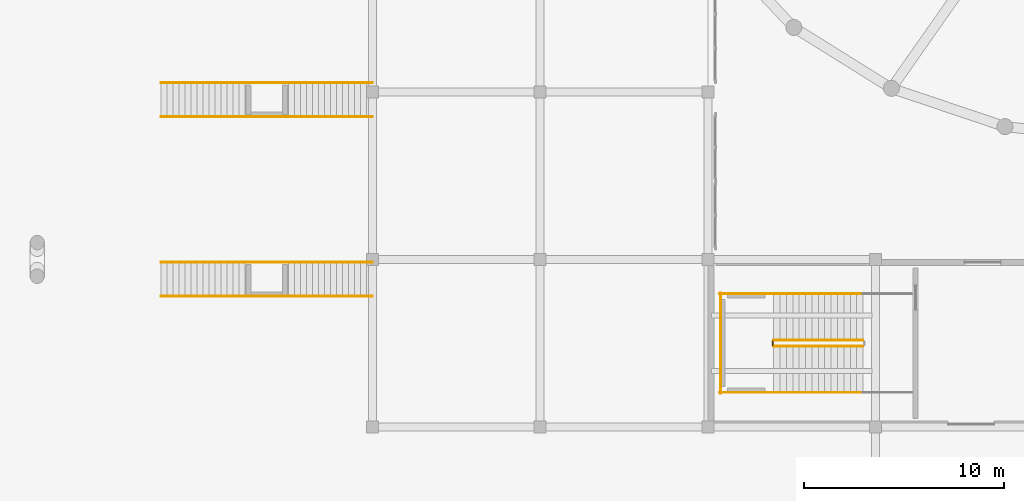
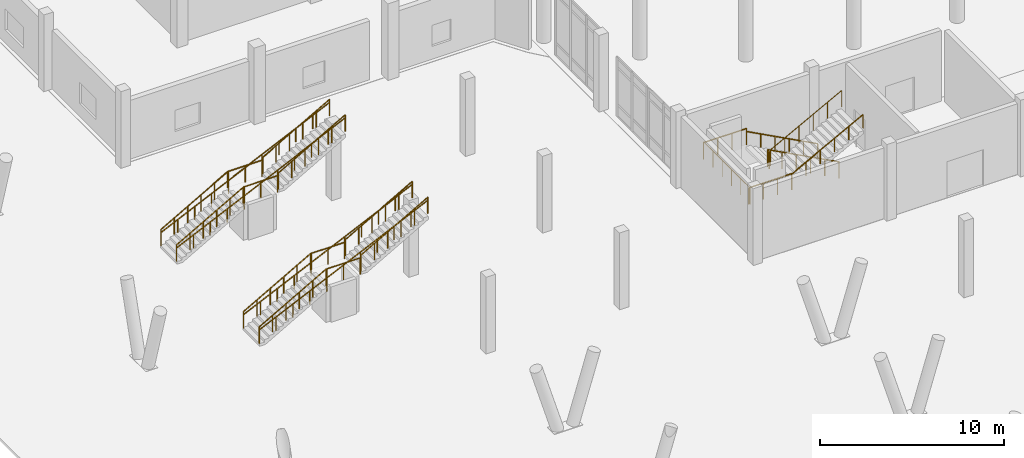
# One storey, part 55 of 64: 24 railings.
"""IFC4 building model written with IfcOpenShell, lengths in metres."""

from ifc_helpers import new_model, si_unit, derived_unit, direction, frame, origin, origin_2d, place, context, subcontext, project, spatial, circle, extrude, material, type_object, element, save


model = new_model("IFC4")

# Units and contexts
model_context = context("Model", 3, precision=1e-05, world=origin(), true_north=direction((0.0, 1.0)))
body_context = subcontext(model_context, "Body", "Model", "MODEL_VIEW")
ifc_project = project(units=[si_unit("LENGTHUNIT", "METRE"), si_unit("AREAUNIT", "SQUARE_METRE"), si_unit("VOLUMEUNIT", "CUBIC_METRE"), si_unit("PLANEANGLEUNIT", "RADIAN"), si_unit("MASSUNIT", "GRAM", prefix="KILO"), derived_unit("THERMALTRANSMITTANCEUNIT", [(si_unit("POWERUNIT", "WATT"), 1), (si_unit("LENGTHUNIT", "METRE"), -2), (si_unit("THERMODYNAMICTEMPERATUREUNIT", "KELVIN"), -1)])], contexts=[model_context])

# Site, building, storey
site_placement = place(None, origin())
site = spatial("IfcSite", under=ifc_project, at=site_placement, CompositionType="ELEMENT")
building_placement = place(site_placement, origin())
building = spatial("IfcBuilding", under=site, at=building_placement, Name="Elbkamm Science Centre", CompositionType="ELEMENT")
storey_placement = place(building_placement, origin())
storey = spatial("IfcBuildingStorey", under=building, at=storey_placement, Name="L00", CompositionType="ELEMENT", Elevation=0.0)

# Railings
ifc_material = material(Name="Stainless steel EN 1.4401", Category="steel")
railing_type_1 = type_object("IfcRailingType", Name="RAIL-GUARD-1100", PredefinedType="GUARDRAIL", material=ifc_material)
railing_1_placement = place(storey_placement, frame((49.780029296875, 37.949951171875, 0.169921875)))
element("IfcRailing", 1, at=railing_1_placement, inside=storey, type_object=railing_type_1, Name="L00 ST-C5 stair guard 1", PredefinedType="GUARDRAIL", context=body_context, shape_type="SweptSolid", body=[
    extrude(circle(Radius=0.02392578125, at=origin_2d()), frame((0.0, 0.0, 1.078125), z_axis=(-0.883104503341, 0.0, 0.469176338042), x_axis=(0.0, -1.0, 0.0)), (0.0, 0.0, 1.0), 5.072998046875),
    extrude(circle(Radius=0.02001953125, at=origin_2d()), origin(), (0.0, 0.0, 1.0), 1.048095703125),
    extrude(circle(Radius=0.02001953125, at=origin_2d()), frame((-0.89599609375, 0.0, 0.47607421875)), (0.0, 0.0, 1.0), 1.048095703125),
    extrude(circle(Radius=0.02001953125, at=origin_2d()), frame((-1.7919921875, 0.0, 0.9521484375)), (0.0, 0.0, 1.0), 1.048095703125),
    extrude(circle(Radius=0.02001953125, at=origin_2d()), frame((-2.68798828125, 0.0, 1.427978515625)), (0.0, 0.0, 1.0), 1.048095703125),
    extrude(circle(Radius=0.02001953125, at=origin_2d()), frame((-3.583984375, 0.0, 1.904052734375)), (0.0, 0.0, 1.0), 1.048095703125),
    extrude(circle(Radius=0.02001953125, at=origin_2d()), frame((-4.47998046875, 0.0, 2.380126953125)), (0.0, 0.0, 1.0), 1.048095703125),
])
railing_2_placement = place(storey_placement, frame((45.25, 37.89990234375, 2.550048828125)))
element("IfcRailing", 2, at=railing_2_placement, inside=storey, type_object=railing_type_1, Name="L00 ST-C5 stair guard 2", PredefinedType="GUARDRAIL", context=body_context, shape_type="SweptSolid", body=[
    extrude(circle(Radius=0.02392578125, at=origin_2d()), frame((0.0, 0.0, 1.078125), z_axis=(0.0, -1.0, 0.0), x_axis=(1.0, 0.0, 0.0)), (0.0, 0.0, 1.0), 0.199951171875),
    extrude(circle(Radius=0.02001953125, at=origin_2d()), origin(), (0.0, 0.0, 1.0), 1.048095703125),
    extrude(circle(Radius=0.02001953125, at=origin_2d()), frame((0.0, -0.199951171875, 0.0)), (0.0, 0.0, 1.0), 1.048095703125),
])
for number, where, name in (
    (3, (45.300048828125, 40.27001953125, 2.550048828125), "L00 ST-C5 stair guard 3"),
    (4, (45.300048828125, 35.330078125, 2.550048828125), "L00 ST-C5 stair guard 4"),
):
    element("IfcRailing", number, at=place(storey_placement, frame(where)), inside=storey, type_object=railing_type_1, Name=name, PredefinedType="GUARDRAIL", context=body_context, shape_type="SweptSolid", body=[
        extrude(circle(Radius=0.02392578125, at=origin_2d()), frame((0.0, 0.0, 1.078125), z_axis=(-1.0, 0.0, 0.0), x_axis=(0.0, -1.0, 0.0)), (0.0, 0.0, 1.0), 2.699951171875),
        extrude(circle(Radius=0.02001953125, at=origin_2d()), origin(), (0.0, 0.0, 1.0), 1.048095703125),
        extrude(circle(Radius=0.02001953125, at=origin_2d()), frame((-0.89990234375, 0.0, 0.0)), (0.0, 0.0, 1.0), 1.048095703125),
        extrude(circle(Radius=0.02001953125, at=origin_2d()), frame((-1.800048828125, 0.0, 0.0)), (0.0, 0.0, 1.0), 1.048095703125),
        extrude(circle(Radius=0.02001953125, at=origin_2d()), frame((-2.699951171875, 0.0, 0.0)), (0.0, 0.0, 1.0), 1.048095703125),
    ])
railing_3_placement = place(storey_placement, frame((42.64990234375, 40.320068359375, 2.550048828125)))
element("IfcRailing", 5, at=railing_3_placement, inside=storey, type_object=railing_type_1, Name="L00 ST-C5 stair guard 5", PredefinedType="GUARDRAIL", context=body_context, shape_type="SweptSolid", body=[
    extrude(circle(Radius=0.02392578125, at=origin_2d()), frame((0.0, 0.0, 1.078125), z_axis=(0.0, -1.0, 0.0), x_axis=(1.0, 0.0, 0.0)), (0.0, 0.0, 1.0), 5.0400390625),
    extrude(circle(Radius=0.02001953125, at=origin_2d()), origin(), (0.0, 0.0, 1.0), 1.048095703125),
    extrude(circle(Radius=0.02001953125, at=origin_2d()), frame((0.0, -1.008056640625, 0.0)), (0.0, 0.0, 1.0), 1.048095703125),
    extrude(circle(Radius=0.02001953125, at=origin_2d()), frame((0.0, -2.01611328125, 0.0)), (0.0, 0.0, 1.0), 1.048095703125),
    extrude(circle(Radius=0.02001953125, at=origin_2d()), frame((0.0, -3.02392578125, 0.0)), (0.0, 0.0, 1.0), 1.048095703125),
    extrude(circle(Radius=0.02001953125, at=origin_2d()), frame((0.0, -4.031982421875, 0.0)), (0.0, 0.0, 1.0), 1.048095703125),
    extrude(circle(Radius=0.02001953125, at=origin_2d()), frame((0.0, -5.0400390625, 0.0)), (0.0, 0.0, 1.0), 1.048095703125),
])
railing_4_placement = place(storey_placement, frame((45.300048828125, 37.64990234375, 2.719970703125)))
element("IfcRailing", 6, at=railing_4_placement, inside=storey, type_object=railing_type_1, Name="L00 ST-C5 stair guard 6", PredefinedType="GUARDRAIL", context=body_context, shape_type="SweptSolid", body=[
    extrude(circle(Radius=0.02392578125, at=origin_2d()), frame((0.0, 0.0, 1.078125), z_axis=(0.883104503341, 0.0, 0.469176338042), x_axis=(0.0, 1.0, 0.0)), (0.0, 0.0, 1.0), 5.072998046875),
    extrude(circle(Radius=0.02001953125, at=origin_2d()), origin(), (0.0, 0.0, 1.0), 1.048095703125),
    extrude(circle(Radius=0.02001953125, at=origin_2d()), frame((0.89599609375, 0.0, 0.47607421875)), (0.0, 0.0, 1.0), 1.048095703125),
    extrude(circle(Radius=0.02001953125, at=origin_2d()), frame((1.7919921875, 0.0, 0.9521484375)), (0.0, 0.0, 1.0), 1.048095703125),
    extrude(circle(Radius=0.02001953125, at=origin_2d()), frame((2.68798828125, 0.0, 1.427978515625)), (0.0, 0.0, 1.0), 1.048095703125),
    extrude(circle(Radius=0.02001953125, at=origin_2d()), frame((3.583984375, 0.0, 1.904052734375)), (0.0, 0.0, 1.0), 1.048095703125),
    extrude(circle(Radius=0.02001953125, at=origin_2d()), frame((4.47998046875, 0.0, 2.380126953125)), (0.0, 0.0, 1.0), 1.048095703125),
])
railing_5_placement = place(storey_placement, frame((14.60009765625, 40.14990234375, 0.169921875)))
element("IfcRailing", 7, at=railing_5_placement, inside=storey, type_object=railing_type_1, Name="Warft Stair 1 Lower Guard R", PredefinedType="GUARDRAIL", context=body_context, shape_type="SweptSolid", body=[
    extrude(circle(Radius=0.02392578125, at=origin_2d()), frame((0.0, 0.0, 1.078125), z_axis=(0.870008446991, 0.0, 0.493036816236), x_axis=(0.0, 1.0, 0.0)), (0.0, 0.0, 1.0), 4.827392578125),
    extrude(circle(Radius=0.02001953125, at=origin_2d()), origin(), (0.0, 0.0, 1.0), 1.048095703125),
    extrude(circle(Radius=0.02001953125, at=origin_2d()), frame((0.840087890625, 0.0, 0.47607421875)), (0.0, 0.0, 1.0), 1.048095703125),
    extrude(circle(Radius=0.02001953125, at=origin_2d()), frame((1.679931640625, 0.0, 0.9521484375)), (0.0, 0.0, 1.0), 1.048095703125),
    extrude(circle(Radius=0.02001953125, at=origin_2d()), frame((2.52001953125, 0.0, 1.427978515625)), (0.0, 0.0, 1.0), 1.048095703125),
    extrude(circle(Radius=0.02001953125, at=origin_2d()), frame((3.35986328125, 0.0, 1.904052734375)), (0.0, 0.0, 1.0), 1.048095703125),
    extrude(circle(Radius=0.02001953125, at=origin_2d()), frame((4.199951171875, 0.0, 2.380126953125)), (0.0, 0.0, 1.0), 1.048095703125),
])
railing_6_placement = place(storey_placement, frame((18.85009765625, 40.14990234375, 2.550048828125)))
element("IfcRailing", 8, at=railing_6_placement, inside=storey, type_object=railing_type_1, Name="Warft Stair 1 Landing Guard R", PredefinedType="GUARDRAIL", context=body_context, shape_type="SweptSolid", body=[
    extrude(circle(Radius=0.02392578125, at=origin_2d()), frame((0.0, 0.0, 1.078125), z_axis=(1.0, 0.0, 0.0), x_axis=(0.0, 1.0, 0.0)), (0.0, 0.0, 1.0), 2.099853515625),
    extrude(circle(Radius=0.02001953125, at=origin_2d()), origin(), (0.0, 0.0, 1.0), 1.048095703125),
    extrude(circle(Radius=0.02001953125, at=origin_2d()), frame((1.0498046875, 0.0, 0.0)), (0.0, 0.0, 1.0), 1.048095703125),
    extrude(circle(Radius=0.02001953125, at=origin_2d()), frame((2.099853515625, 0.0, 0.0)), (0.0, 0.0, 1.0), 1.048095703125),
])
for number, where, name in (
    (9, (21.0, 40.14990234375, 2.719970703125), "Warft Stair 1 Upper Guard R"),
    (10, (14.60009765625, 41.85009765625, 0.169921875), "Warft Stair 1 Lower Guard L"),
):
    element("IfcRailing", number, at=place(storey_placement, frame(where)), inside=storey, type_object=railing_type_1, Name=name, PredefinedType="GUARDRAIL", context=body_context, shape_type="SweptSolid", body=[
        extrude(circle(Radius=0.02392578125, at=origin_2d()), frame((0.0, 0.0, 1.078125), z_axis=(0.870008446991, 0.0, 0.493036816236), x_axis=(0.0, 1.0, 0.0)), (0.0, 0.0, 1.0), 4.827392578125),
        extrude(circle(Radius=0.02001953125, at=origin_2d()), origin(), (0.0, 0.0, 1.0), 1.048095703125),
        extrude(circle(Radius=0.02001953125, at=origin_2d()), frame((0.840087890625, 0.0, 0.47607421875)), (0.0, 0.0, 1.0), 1.048095703125),
        extrude(circle(Radius=0.02001953125, at=origin_2d()), frame((1.679931640625, 0.0, 0.9521484375)), (0.0, 0.0, 1.0), 1.048095703125),
        extrude(circle(Radius=0.02001953125, at=origin_2d()), frame((2.52001953125, 0.0, 1.427978515625)), (0.0, 0.0, 1.0), 1.048095703125),
        extrude(circle(Radius=0.02001953125, at=origin_2d()), frame((3.35986328125, 0.0, 1.904052734375)), (0.0, 0.0, 1.0), 1.048095703125),
        extrude(circle(Radius=0.02001953125, at=origin_2d()), frame((4.199951171875, 0.0, 2.380126953125)), (0.0, 0.0, 1.0), 1.048095703125),
    ])
railing_7_placement = place(storey_placement, frame((18.85009765625, 41.85009765625, 2.550048828125)))
element("IfcRailing", 11, at=railing_7_placement, inside=storey, type_object=railing_type_1, Name="Warft Stair 1 Landing Guard L", PredefinedType="GUARDRAIL", context=body_context, shape_type="SweptSolid", body=[
    extrude(circle(Radius=0.02392578125, at=origin_2d()), frame((0.0, 0.0, 1.078125), z_axis=(1.0, 0.0, 0.0), x_axis=(0.0, 1.0, 0.0)), (0.0, 0.0, 1.0), 2.099853515625),
    extrude(circle(Radius=0.02001953125, at=origin_2d()), origin(), (0.0, 0.0, 1.0), 1.048095703125),
    extrude(circle(Radius=0.02001953125, at=origin_2d()), frame((1.0498046875, 0.0, 0.0)), (0.0, 0.0, 1.0), 1.048095703125),
    extrude(circle(Radius=0.02001953125, at=origin_2d()), frame((2.099853515625, 0.0, 0.0)), (0.0, 0.0, 1.0), 1.048095703125),
])
for number, where, name in (
    (12, (21.0, 41.85009765625, 2.719970703125), "Warft Stair 1 Upper Guard L"),
    (13, (14.60009765625, 49.14990234375, 0.169921875), "Warft Stair 2 Lower Guard R"),
):
    element("IfcRailing", number, at=place(storey_placement, frame(where)), inside=storey, type_object=railing_type_1, Name=name, PredefinedType="GUARDRAIL", context=body_context, shape_type="SweptSolid", body=[
        extrude(circle(Radius=0.02392578125, at=origin_2d()), frame((0.0, 0.0, 1.078125), z_axis=(0.870008446991, 0.0, 0.493036816236), x_axis=(0.0, 1.0, 0.0)), (0.0, 0.0, 1.0), 4.827392578125),
        extrude(circle(Radius=0.02001953125, at=origin_2d()), origin(), (0.0, 0.0, 1.0), 1.048095703125),
        extrude(circle(Radius=0.02001953125, at=origin_2d()), frame((0.840087890625, 0.0, 0.47607421875)), (0.0, 0.0, 1.0), 1.048095703125),
        extrude(circle(Radius=0.02001953125, at=origin_2d()), frame((1.679931640625, 0.0, 0.9521484375)), (0.0, 0.0, 1.0), 1.048095703125),
        extrude(circle(Radius=0.02001953125, at=origin_2d()), frame((2.52001953125, 0.0, 1.427978515625)), (0.0, 0.0, 1.0), 1.048095703125),
        extrude(circle(Radius=0.02001953125, at=origin_2d()), frame((3.35986328125, 0.0, 1.904052734375)), (0.0, 0.0, 1.0), 1.048095703125),
        extrude(circle(Radius=0.02001953125, at=origin_2d()), frame((4.199951171875, 0.0, 2.380126953125)), (0.0, 0.0, 1.0), 1.048095703125),
    ])
railing_8_placement = place(storey_placement, frame((18.85009765625, 49.14990234375, 2.550048828125)))
element("IfcRailing", 14, at=railing_8_placement, inside=storey, type_object=railing_type_1, Name="Warft Stair 2 Landing Guard R", PredefinedType="GUARDRAIL", context=body_context, shape_type="SweptSolid", body=[
    extrude(circle(Radius=0.02392578125, at=origin_2d()), frame((0.0, 0.0, 1.078125), z_axis=(1.0, 0.0, 0.0), x_axis=(0.0, 1.0, 0.0)), (0.0, 0.0, 1.0), 2.099853515625),
    extrude(circle(Radius=0.02001953125, at=origin_2d()), origin(), (0.0, 0.0, 1.0), 1.048095703125),
    extrude(circle(Radius=0.02001953125, at=origin_2d()), frame((1.0498046875, 0.0, 0.0)), (0.0, 0.0, 1.0), 1.048095703125),
    extrude(circle(Radius=0.02001953125, at=origin_2d()), frame((2.099853515625, 0.0, 0.0)), (0.0, 0.0, 1.0), 1.048095703125),
])
for number, where, name in (
    (15, (21.0, 49.14990234375, 2.719970703125), "Warft Stair 2 Upper Guard R"),
    (16, (14.60009765625, 50.85009765625, 0.169921875), "Warft Stair 2 Lower Guard L"),
):
    element("IfcRailing", number, at=place(storey_placement, frame(where)), inside=storey, type_object=railing_type_1, Name=name, PredefinedType="GUARDRAIL", context=body_context, shape_type="SweptSolid", body=[
        extrude(circle(Radius=0.02392578125, at=origin_2d()), frame((0.0, 0.0, 1.078125), z_axis=(0.870008446991, 0.0, 0.493036816236), x_axis=(0.0, 1.0, 0.0)), (0.0, 0.0, 1.0), 4.827392578125),
        extrude(circle(Radius=0.02001953125, at=origin_2d()), origin(), (0.0, 0.0, 1.0), 1.048095703125),
        extrude(circle(Radius=0.02001953125, at=origin_2d()), frame((0.840087890625, 0.0, 0.47607421875)), (0.0, 0.0, 1.0), 1.048095703125),
        extrude(circle(Radius=0.02001953125, at=origin_2d()), frame((1.679931640625, 0.0, 0.9521484375)), (0.0, 0.0, 1.0), 1.048095703125),
        extrude(circle(Radius=0.02001953125, at=origin_2d()), frame((2.52001953125, 0.0, 1.427978515625)), (0.0, 0.0, 1.0), 1.048095703125),
        extrude(circle(Radius=0.02001953125, at=origin_2d()), frame((3.35986328125, 0.0, 1.904052734375)), (0.0, 0.0, 1.0), 1.048095703125),
        extrude(circle(Radius=0.02001953125, at=origin_2d()), frame((4.199951171875, 0.0, 2.380126953125)), (0.0, 0.0, 1.0), 1.048095703125),
    ])
railing_9_placement = place(storey_placement, frame((18.85009765625, 50.85009765625, 2.550048828125)))
element("IfcRailing", 17, at=railing_9_placement, inside=storey, type_object=railing_type_1, Name="Warft Stair 2 Landing Guard L", PredefinedType="GUARDRAIL", context=body_context, shape_type="SweptSolid", body=[
    extrude(circle(Radius=0.02392578125, at=origin_2d()), frame((0.0, 0.0, 1.078125), z_axis=(1.0, 0.0, 0.0), x_axis=(0.0, 1.0, 0.0)), (0.0, 0.0, 1.0), 2.099853515625),
    extrude(circle(Radius=0.02001953125, at=origin_2d()), origin(), (0.0, 0.0, 1.0), 1.048095703125),
    extrude(circle(Radius=0.02001953125, at=origin_2d()), frame((1.0498046875, 0.0, 0.0)), (0.0, 0.0, 1.0), 1.048095703125),
    extrude(circle(Radius=0.02001953125, at=origin_2d()), frame((2.099853515625, 0.0, 0.0)), (0.0, 0.0, 1.0), 1.048095703125),
])
railing_10_placement = place(storey_placement, frame((21.0, 50.85009765625, 2.719970703125)))
element("IfcRailing", 18, at=railing_10_placement, inside=storey, type_object=railing_type_1, Name="Warft Stair 2 Upper Guard L", PredefinedType="GUARDRAIL", context=body_context, shape_type="SweptSolid", body=[
    extrude(circle(Radius=0.02392578125, at=origin_2d()), frame((0.0, 0.0, 1.078125), z_axis=(0.870008446991, 0.0, 0.493036816236), x_axis=(0.0, 1.0, 0.0)), (0.0, 0.0, 1.0), 4.827392578125),
    extrude(circle(Radius=0.02001953125, at=origin_2d()), origin(), (0.0, 0.0, 1.0), 1.048095703125),
    extrude(circle(Radius=0.02001953125, at=origin_2d()), frame((0.840087890625, 0.0, 0.47607421875)), (0.0, 0.0, 1.0), 1.048095703125),
    extrude(circle(Radius=0.02001953125, at=origin_2d()), frame((1.679931640625, 0.0, 0.9521484375)), (0.0, 0.0, 1.0), 1.048095703125),
    extrude(circle(Radius=0.02001953125, at=origin_2d()), frame((2.52001953125, 0.0, 1.427978515625)), (0.0, 0.0, 1.0), 1.048095703125),
    extrude(circle(Radius=0.02001953125, at=origin_2d()), frame((3.35986328125, 0.0, 1.904052734375)), (0.0, 0.0, 1.0), 1.048095703125),
    extrude(circle(Radius=0.02001953125, at=origin_2d()), frame((4.199951171875, 0.0, 2.380126953125)), (0.0, 0.0, 1.0), 1.048095703125),
])
railing_type_2 = type_object("IfcRailingType", Name="RAIL-HAND-900", PredefinedType="HANDRAIL", material=ifc_material)
railing_11_placement = place(storey_placement, frame((49.780029296875, 40.27001953125, 0.169921875)))
element("IfcRailing", 19, at=railing_11_placement, inside=storey, type_object=railing_type_2, Name="L00 ST-C5 stair handrail 1", PredefinedType="HANDRAIL", context=body_context, shape_type="SweptSolid", body=[
    extrude(circle(Radius=0.02392578125, at=origin_2d()), frame((0.0, 0.0, 0.8779296875), z_axis=(-0.883104503341, 0.0, 0.469176338042), x_axis=(0.0, -1.0, 0.0)), (0.0, 0.0, 1.0), 5.072998046875),
    extrude(circle(Radius=0.02001953125, at=origin_2d()), origin(), (0.0, 0.0, 1.0), 0.847900390625),
    extrude(circle(Radius=0.02001953125, at=origin_2d()), frame((-0.89599609375, 0.0, 0.47607421875)), (0.0, 0.0, 1.0), 0.847900390625),
    extrude(circle(Radius=0.02001953125, at=origin_2d()), frame((-1.7919921875, 0.0, 0.9521484375)), (0.0, 0.0, 1.0), 0.847900390625),
    extrude(circle(Radius=0.02001953125, at=origin_2d()), frame((-2.68798828125, 0.0, 1.427978515625)), (0.0, 0.0, 1.0), 0.847900390625),
    extrude(circle(Radius=0.02001953125, at=origin_2d()), frame((-3.583984375, 0.0, 1.904052734375)), (0.0, 0.0, 1.0), 0.847900390625),
    extrude(circle(Radius=0.02001953125, at=origin_2d()), frame((-4.47998046875, 0.0, 2.380126953125)), (0.0, 0.0, 1.0), 0.847900390625),
])
railing_12_placement = place(storey_placement, frame((45.300048828125, 35.330078125, 2.719970703125)))
element("IfcRailing", 20, at=railing_12_placement, inside=storey, type_object=railing_type_2, Name="L00 ST-C5 stair handrail 2", PredefinedType="HANDRAIL", context=body_context, shape_type="SweptSolid", body=[
    extrude(circle(Radius=0.02392578125, at=origin_2d()), frame((0.0, 0.0, 0.8779296875), z_axis=(0.883104503341, 0.0, 0.469176338042), x_axis=(0.0, 1.0, 0.0)), (0.0, 0.0, 1.0), 5.072998046875),
    extrude(circle(Radius=0.02001953125, at=origin_2d()), origin(), (0.0, 0.0, 1.0), 0.847900390625),
    extrude(circle(Radius=0.02001953125, at=origin_2d()), frame((0.89599609375, 0.0, 0.47607421875)), (0.0, 0.0, 1.0), 0.847900390625),
    extrude(circle(Radius=0.02001953125, at=origin_2d()), frame((1.7919921875, 0.0, 0.9521484375)), (0.0, 0.0, 1.0), 0.847900390625),
    extrude(circle(Radius=0.02001953125, at=origin_2d()), frame((2.68798828125, 0.0, 1.427978515625)), (0.0, 0.0, 1.0), 0.847900390625),
    extrude(circle(Radius=0.02001953125, at=origin_2d()), frame((3.583984375, 0.0, 1.904052734375)), (0.0, 0.0, 1.0), 0.847900390625),
    extrude(circle(Radius=0.02001953125, at=origin_2d()), frame((4.47998046875, 0.0, 2.380126953125)), (0.0, 0.0, 1.0), 0.847900390625),
])
for number, where, name in (
    (21, (14.60009765625, 40.14990234375, 0.169921875), "Warft Stair 1 Handrail R"),
    (22, (14.60009765625, 41.85009765625, 0.169921875), "Warft Stair 1 Handrail L"),
    (23, (14.60009765625, 49.14990234375, 0.169921875), "Warft Stair 2 Handrail R"),
    (24, (14.60009765625, 50.85009765625, 0.169921875), "Warft Stair 2 Handrail L"),
):
    element("IfcRailing", number, at=place(storey_placement, frame(where)), inside=storey, type_object=railing_type_2, Name=name, PredefinedType="HANDRAIL", context=body_context, shape_type="SweptSolid", body=[
        extrude(circle(Radius=0.02392578125, at=origin_2d()), frame((0.0, 0.0, 0.8779296875), z_axis=(0.906720740452, 0.0, 0.421731548303), x_axis=(0.0, 1.0, 0.0)), (0.0, 0.0, 1.0), 11.6904296875),
        extrude(circle(Radius=0.02001953125, at=origin_2d()), origin(), (0.0, 0.0, 1.0), 0.847900390625),
        extrude(circle(Radius=0.02001953125, at=origin_2d()), frame((1.06005859375, 0.0, 0.492919921875)), (0.0, 0.0, 1.0), 0.847900390625),
        extrude(circle(Radius=0.02001953125, at=origin_2d()), frame((2.119873046875, 0.0, 0.986083984375)), (0.0, 0.0, 1.0), 0.847900390625),
        extrude(circle(Radius=0.02001953125, at=origin_2d()), frame((3.179931640625, 0.0, 1.47900390625)), (0.0, 0.0, 1.0), 0.847900390625),
        extrude(circle(Radius=0.02001953125, at=origin_2d()), frame((4.239990234375, 0.0, 1.97216796875)), (0.0, 0.0, 1.0), 0.847900390625),
        extrude(circle(Radius=0.02001953125, at=origin_2d()), frame((5.2998046875, 0.0, 2.465087890625)), (0.0, 0.0, 1.0), 0.847900390625),
        extrude(circle(Radius=0.02001953125, at=origin_2d()), frame((6.35986328125, 0.0, 2.9580078125)), (0.0, 0.0, 1.0), 0.847900390625),
        extrude(circle(Radius=0.02001953125, at=origin_2d()), frame((7.419921875, 0.0, 3.451171875)), (0.0, 0.0, 1.0), 0.847900390625),
        extrude(circle(Radius=0.02001953125, at=origin_2d()), frame((8.47998046875, 0.0, 3.944091796875)), (0.0, 0.0, 1.0), 0.847900390625),
        extrude(circle(Radius=0.02001953125, at=origin_2d()), frame((9.539794921875, 0.0, 4.437255859375)), (0.0, 0.0, 1.0), 0.847900390625),
        extrude(circle(Radius=0.02001953125, at=origin_2d()), frame((10.599853515625, 0.0, 4.93017578125)), (0.0, 0.0, 1.0), 0.847900390625),
    ])

save(model, "model.ifc")
